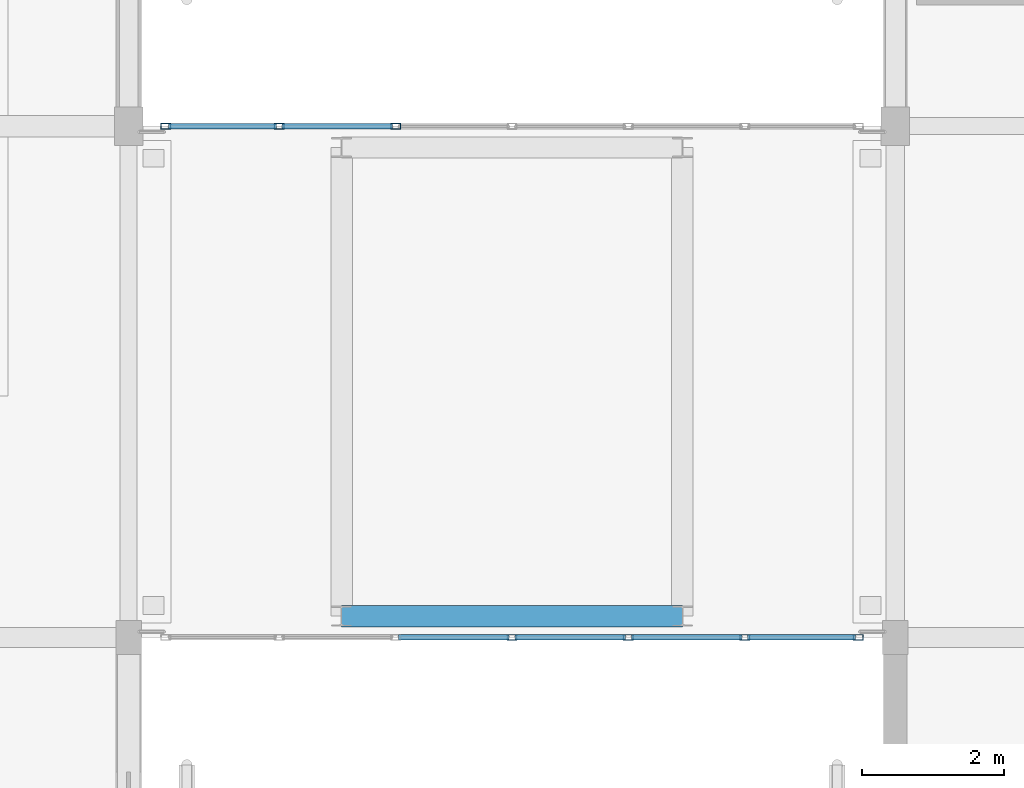
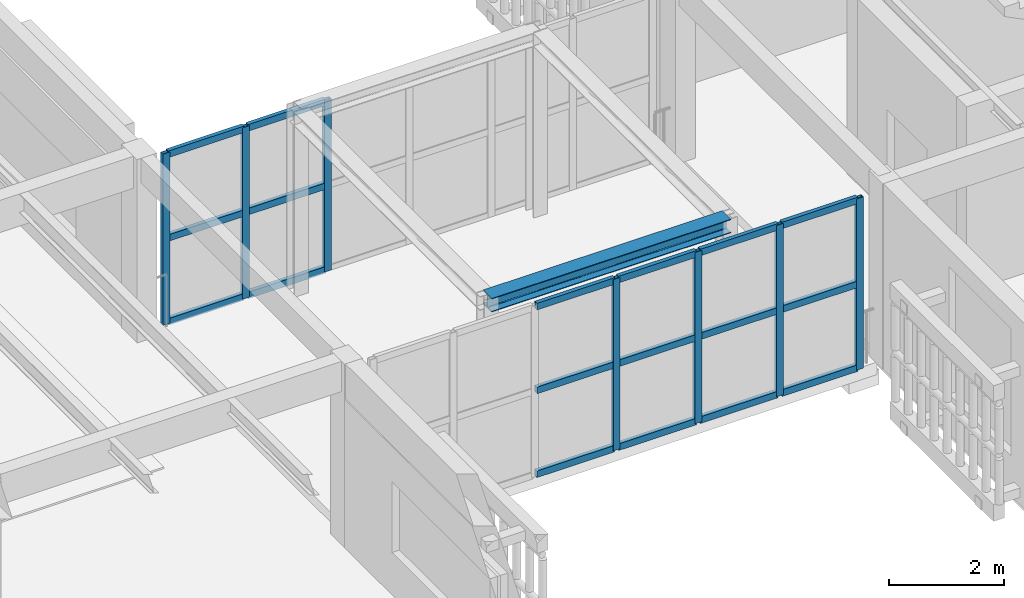
# One storey, part 22 of 217: 25 members, 1 beam, 2 elements without a shape of their own.
"""IFC4 building model written with IfcOpenShell, lengths in metres."""

from ifc_helpers import new_model, si_unit, direction, frame, origin, origin_2d, place, context, subcontext, project, spatial, hollow_rectangle, i_section, extrude, material, layer, layer_set, material_profile, profile_set, type_object, element, aggregate, save


model = new_model("IFC4")

# Units and contexts
model_context = context("Model", 3, precision=1e-05, world=origin(), true_north=direction((0.0, 1.0)))
body_context = subcontext(model_context, "Body", "Model", "MODEL_VIEW")
ifc_project = project(units=[si_unit("LENGTHUNIT", "METRE"), si_unit("AREAUNIT", "SQUARE_METRE"), si_unit("VOLUMEUNIT", "CUBIC_METRE"), si_unit("PLANEANGLEUNIT", "RADIAN"), si_unit("MASSUNIT", "GRAM", prefix="KILO")], contexts=[model_context])

# Site, building, storey
site_placement = place(None, origin())
site = spatial("IfcSite", under=ifc_project, at=site_placement, CompositionType="ELEMENT")
building_placement = place(site_placement, origin())
building = spatial("IfcBuilding", under=site, at=building_placement, Name="Mazaris Harbour Polytechnic", CompositionType="ELEMENT")
storey_placement = place(building_placement, frame((0.0, 0.0, 9.60009765625)))
storey = spatial("IfcBuildingStorey", under=building, at=storey_placement, Name="L02", CompositionType="ELEMENT", Elevation=9.60009765625)

# Curtain wall, members
ifc_material_1 = material(Name="Anodised Bronze Aluminium and Low-E Glass", Category="aluminium")
ifc_layer = layer(ifc_material_1, 0.139892578125, Name="Anodised Bronze Aluminium and Low-E Glass")
ifc_layer_set = layer_set([ifc_layer], Name="Anodised Bronze Aluminium and Low-E Glass")
curtain_wall_type = type_object("IfcCurtainWallType", Name="Seismic Link Bridge Glazing", PredefinedType="NOTDEFINED", material=ifc_layer_set)
curtain_wall_1_placement = place(storey_placement, origin())
curtain_wall_1 = element("IfcCurtainWall", 1, at=curtain_wall_1_placement, inside=storey, type_object=curtain_wall_type, Name="PB-W1 L02 Bridge Glazing", PredefinedType="NOTDEFINED")
ifc_material_2 = material(Name="Anodised Bronze Steel S355", Category="steel")
ifc_material_profile_1 = material_profile(ifc_material_2, hollow_rectangle(XDim=0.080078125, YDim=0.139892578125, WallThickness=0.00634765625, at=origin_2d()), Name="RHS 80x140x6.3")
ifc_profile_set_1 = profile_set([ifc_material_profile_1], Name="Anodised Bronze Steel S355")
member_type_1 = type_object("IfcMemberType", Name="Curtain Mullion RHS80x140", PredefinedType="MULLION", material=ifc_profile_set_1)
member_1_placement = place(storey_placement, frame((48.60009765625, 21.60009765625, 0.0), z_axis=(0.0, 0.0, 1.0), x_axis=(0.0, 1.0, 0.0)))
member_1 = element("IfcMember", 2, at=member_1_placement, type_object=member_type_1, Name="CW-05 mullion 4", PredefinedType="MULLION", context=body_context, shape_type="SweptSolid", body=[
    extrude(hollow_rectangle(XDim=0.080078125, YDim=0.139892578125, WallThickness=0.00634765625, at=origin_2d()), origin(), (0.0, 0.0, 1.0), 3.635009765625),
])
member_2_placement = place(storey_placement, frame((50.239990234375, 21.60009765625, 0.0), z_axis=(0.0, 0.0, 1.0), x_axis=(0.0, 1.0, 0.0)))
member_2 = element("IfcMember", 3, at=member_2_placement, type_object=member_type_1, Name="CW-05 mullion 5", PredefinedType="MULLION", context=body_context, shape_type="SweptSolid", body=[
    extrude(hollow_rectangle(XDim=0.080078125, YDim=0.139892578125, WallThickness=0.00634765625, at=origin_2d()), origin(), (0.0, 0.0, 1.0), 3.635009765625),
])
member_3_placement = place(storey_placement, frame((51.8798828125, 21.60009765625, 0.0), z_axis=(0.0, 0.0, 1.0), x_axis=(0.0, 1.0, 0.0)))
member_3 = element("IfcMember", 4, at=member_3_placement, type_object=member_type_1, Name="CW-05 mullion 6", PredefinedType="MULLION", context=body_context, shape_type="SweptSolid", body=[
    extrude(hollow_rectangle(XDim=0.080078125, YDim=0.139892578125, WallThickness=0.00634765625, at=origin_2d()), origin(), (0.0, 0.0, 1.0), 3.635009765625),
])
member_4_placement = place(storey_placement, frame((53.47998046875, 21.60009765625, 0.0), z_axis=(0.0, 0.0, 1.0), x_axis=(0.0, 1.0, 0.0)))
member_4 = element("IfcMember", 5, at=member_4_placement, type_object=member_type_1, Name="CW-05 mullion 7", PredefinedType="MULLION", context=body_context, shape_type="SweptSolid", body=[
    extrude(hollow_rectangle(XDim=0.080078125, YDim=0.139892578125, WallThickness=0.00634765625, at=origin_2d()), origin(), (0.0, 0.0, 1.0), 3.635009765625),
])

curtain_wall_2_placement = place(storey_placement, origin())
curtain_wall_2 = element("IfcCurtainWall", 6, at=curtain_wall_2_placement, inside=storey, type_object=curtain_wall_type, Name="PB-W1 L02 Bridge Glazing", PredefinedType="NOTDEFINED")
member_5_placement = place(storey_placement, frame((46.9599609375, 28.800048828125, 0.0), z_axis=(0.0, 0.0, 1.0), x_axis=(0.0, -1.0, 0.0)))
member_5 = element("IfcMember", 7, at=member_5_placement, type_object=member_type_1, Name="CW-05 mullion 5", PredefinedType="MULLION", context=body_context, shape_type="SweptSolid", body=[
    extrude(hollow_rectangle(XDim=0.080078125, YDim=0.139892578125, WallThickness=0.00634765625, at=origin_2d()), origin(), (0.0, 0.0, 1.0), 3.635009765625),
])
member_6_placement = place(storey_placement, frame((45.320068359375, 28.800048828125, 0.0), z_axis=(0.0, 0.0, 1.0), x_axis=(0.0, -1.0, 0.0)))
member_6 = element("IfcMember", 8, at=member_6_placement, type_object=member_type_1, Name="CW-05 mullion 6", PredefinedType="MULLION", context=body_context, shape_type="SweptSolid", body=[
    extrude(hollow_rectangle(XDim=0.080078125, YDim=0.139892578125, WallThickness=0.00634765625, at=origin_2d()), origin(), (0.0, 0.0, 1.0), 3.635009765625),
])
member_7_placement = place(storey_placement, frame((43.719970703125, 28.800048828125, 0.0), z_axis=(0.0, 0.0, 1.0), x_axis=(0.0, -1.0, 0.0)))
member_7 = element("IfcMember", 9, at=member_7_placement, type_object=member_type_1, Name="CW-05 mullion 7", PredefinedType="MULLION", context=body_context, shape_type="SweptSolid", body=[
    extrude(hollow_rectangle(XDim=0.080078125, YDim=0.139892578125, WallThickness=0.00634765625, at=origin_2d()), origin(), (0.0, 0.0, 1.0), 3.635009765625),
])

# Member
ifc_material_3 = material(Name="Anodised Bronze Steel S355", Category="steel")
ifc_material_profile_2 = material_profile(ifc_material_3, hollow_rectangle(XDim=0.080078125, YDim=0.139892578125, WallThickness=0.00634765625, at=origin_2d()), Name="RHS 80x140x6.3")
ifc_profile_set_2 = profile_set([ifc_material_profile_2], Name="Anodised Bronze Steel S355")
member_type_2 = type_object("IfcMemberType", Name="Curtain Transom RHS80x140", PredefinedType="USERDEFINED", material=ifc_profile_set_2)
member_8_placement = place(storey_placement, frame((47.0, 21.60009765625, 0.039794921875), z_axis=(1.0, 0.0, 0.0), x_axis=(0.0, 1.0, 0.0)))
member_8 = element("IfcMember", 10, at=member_8_placement, type_object=member_type_2, Name="CW-05 transom 3.1", ObjectType="TRANSOM", PredefinedType="USERDEFINED", context=body_context, shape_type="SweptSolid", body=[
    extrude(hollow_rectangle(XDim=0.080078125, YDim=0.139892578125, WallThickness=0.00634765625, at=origin_2d()), origin(), (0.0, 0.0, 1.0), 1.56005859375),
])

member_9_placement = place(storey_placement, frame((47.0, 21.60009765625, 1.8173828125), z_axis=(1.0, 0.0, 0.0), x_axis=(0.0, 1.0, 0.0)))
member_9 = element("IfcMember", 11, at=member_9_placement, type_object=member_type_2, Name="CW-05 transom 3.2", ObjectType="TRANSOM", PredefinedType="USERDEFINED", context=body_context, shape_type="SweptSolid", body=[
    extrude(hollow_rectangle(XDim=0.080078125, YDim=0.139892578125, WallThickness=0.00634765625, at=origin_2d()), origin(), (0.0, 0.0, 1.0), 1.56005859375),
])

member_10_placement = place(storey_placement, frame((47.0, 21.60009765625, 3.594970703125), z_axis=(1.0, 0.0, 0.0), x_axis=(0.0, 1.0, 0.0)))
member_10 = element("IfcMember", 12, at=member_10_placement, type_object=member_type_2, Name="CW-05 transom 3.3", ObjectType="TRANSOM", PredefinedType="USERDEFINED", context=body_context, shape_type="SweptSolid", body=[
    extrude(hollow_rectangle(XDim=0.080078125, YDim=0.139892578125, WallThickness=0.00634765625, at=origin_2d()), origin(), (0.0, 0.0, 1.0), 1.56005859375),
])

member_11_placement = place(storey_placement, frame((48.639892578125, 21.60009765625, 0.039794921875), z_axis=(1.0, 0.0, 0.0), x_axis=(0.0, 1.0, 0.0)))
member_11 = element("IfcMember", 13, at=member_11_placement, type_object=member_type_2, Name="CW-05 transom 4.1", ObjectType="TRANSOM", PredefinedType="USERDEFINED", context=body_context, shape_type="SweptSolid", body=[
    extrude(hollow_rectangle(XDim=0.080078125, YDim=0.139892578125, WallThickness=0.00634765625, at=origin_2d()), origin(), (0.0, 0.0, 1.0), 1.56005859375),
])

member_12_placement = place(storey_placement, frame((48.639892578125, 21.60009765625, 1.8173828125), z_axis=(1.0, 0.0, 0.0), x_axis=(0.0, 1.0, 0.0)))
member_12 = element("IfcMember", 14, at=member_12_placement, type_object=member_type_2, Name="CW-05 transom 4.2", ObjectType="TRANSOM", PredefinedType="USERDEFINED", context=body_context, shape_type="SweptSolid", body=[
    extrude(hollow_rectangle(XDim=0.080078125, YDim=0.139892578125, WallThickness=0.00634765625, at=origin_2d()), origin(), (0.0, 0.0, 1.0), 1.56005859375),
])

member_13_placement = place(storey_placement, frame((48.639892578125, 21.60009765625, 3.594970703125), z_axis=(1.0, 0.0, 0.0), x_axis=(0.0, 1.0, 0.0)))
member_13 = element("IfcMember", 15, at=member_13_placement, type_object=member_type_2, Name="CW-05 transom 4.3", ObjectType="TRANSOM", PredefinedType="USERDEFINED", context=body_context, shape_type="SweptSolid", body=[
    extrude(hollow_rectangle(XDim=0.080078125, YDim=0.139892578125, WallThickness=0.00634765625, at=origin_2d()), origin(), (0.0, 0.0, 1.0), 1.56005859375),
])

member_14_placement = place(storey_placement, frame((50.280029296875, 21.60009765625, 0.039794921875), z_axis=(1.0, 0.0, 0.0), x_axis=(0.0, 1.0, 0.0)))
member_14 = element("IfcMember", 16, at=member_14_placement, type_object=member_type_2, Name="CW-05 transom 5.1", ObjectType="TRANSOM", PredefinedType="USERDEFINED", context=body_context, shape_type="SweptSolid", body=[
    extrude(hollow_rectangle(XDim=0.080078125, YDim=0.139892578125, WallThickness=0.00634765625, at=origin_2d()), origin(), (0.0, 0.0, 1.0), 1.56005859375),
])

member_15_placement = place(storey_placement, frame((50.280029296875, 21.60009765625, 1.8173828125), z_axis=(1.0, 0.0, 0.0), x_axis=(0.0, 1.0, 0.0)))
member_15 = element("IfcMember", 17, at=member_15_placement, type_object=member_type_2, Name="CW-05 transom 5.2", ObjectType="TRANSOM", PredefinedType="USERDEFINED", context=body_context, shape_type="SweptSolid", body=[
    extrude(hollow_rectangle(XDim=0.080078125, YDim=0.139892578125, WallThickness=0.00634765625, at=origin_2d()), origin(), (0.0, 0.0, 1.0), 1.56005859375),
])

member_16_placement = place(storey_placement, frame((50.280029296875, 21.60009765625, 3.594970703125), z_axis=(1.0, 0.0, 0.0), x_axis=(0.0, 1.0, 0.0)))
member_16 = element("IfcMember", 18, at=member_16_placement, type_object=member_type_2, Name="CW-05 transom 5.3", ObjectType="TRANSOM", PredefinedType="USERDEFINED", context=body_context, shape_type="SweptSolid", body=[
    extrude(hollow_rectangle(XDim=0.080078125, YDim=0.139892578125, WallThickness=0.00634765625, at=origin_2d()), origin(), (0.0, 0.0, 1.0), 1.56005859375),
])

member_17_placement = place(storey_placement, frame((51.919921875, 21.60009765625, 0.039794921875), z_axis=(1.0, 0.0, 0.0), x_axis=(0.0, 1.0, 0.0)))
member_17 = element("IfcMember", 19, at=member_17_placement, type_object=member_type_2, Name="CW-05 transom 6.1", ObjectType="TRANSOM", PredefinedType="USERDEFINED", context=body_context, shape_type="SweptSolid", body=[
    extrude(hollow_rectangle(XDim=0.080078125, YDim=0.139892578125, WallThickness=0.00634765625, at=origin_2d()), origin(), (0.0, 0.0, 1.0), 1.52001953125),
])

member_18_placement = place(storey_placement, frame((51.919921875, 21.60009765625, 1.8173828125), z_axis=(1.0, 0.0, 0.0), x_axis=(0.0, 1.0, 0.0)))
member_18 = element("IfcMember", 20, at=member_18_placement, type_object=member_type_2, Name="CW-05 transom 6.2", ObjectType="TRANSOM", PredefinedType="USERDEFINED", context=body_context, shape_type="SweptSolid", body=[
    extrude(hollow_rectangle(XDim=0.080078125, YDim=0.139892578125, WallThickness=0.00634765625, at=origin_2d()), origin(), (0.0, 0.0, 1.0), 1.52001953125),
])

member_19_placement = place(storey_placement, frame((51.919921875, 21.60009765625, 3.594970703125), z_axis=(1.0, 0.0, 0.0), x_axis=(0.0, 1.0, 0.0)))
member_19 = element("IfcMember", 21, at=member_19_placement, type_object=member_type_2, Name="CW-05 transom 6.3", ObjectType="TRANSOM", PredefinedType="USERDEFINED", context=body_context, shape_type="SweptSolid", body=[
    extrude(hollow_rectangle(XDim=0.080078125, YDim=0.139892578125, WallThickness=0.00634765625, at=origin_2d()), origin(), (0.0, 0.0, 1.0), 1.52001953125),
])

aggregate(curtain_wall_1, [member_1, member_2, member_3, member_4, member_8, member_9, member_10, member_11, member_12, member_13, member_14, member_15, member_16, member_17, member_18, member_19])

member_20_placement = place(storey_placement, frame((46.919921875, 28.800048828125, 0.039794921875), z_axis=(-1.0, 0.0, 0.0), x_axis=(0.0, -1.0, 0.0)))
member_20 = element("IfcMember", 22, at=member_20_placement, type_object=member_type_2, Name="CW-05 transom 5.1", ObjectType="TRANSOM", PredefinedType="USERDEFINED", context=body_context, shape_type="SweptSolid", body=[
    extrude(hollow_rectangle(XDim=0.080078125, YDim=0.139892578125, WallThickness=0.00634765625, at=origin_2d()), origin(), (0.0, 0.0, 1.0), 1.559814453125),
])

member_21_placement = place(storey_placement, frame((46.919921875, 28.800048828125, 1.8173828125), z_axis=(-1.0, 0.0, 0.0), x_axis=(0.0, -1.0, 0.0)))
member_21 = element("IfcMember", 23, at=member_21_placement, type_object=member_type_2, Name="CW-05 transom 5.2", ObjectType="TRANSOM", PredefinedType="USERDEFINED", context=body_context, shape_type="SweptSolid", body=[
    extrude(hollow_rectangle(XDim=0.080078125, YDim=0.139892578125, WallThickness=0.00634765625, at=origin_2d()), origin(), (0.0, 0.0, 1.0), 1.559814453125),
])

member_22_placement = place(storey_placement, frame((46.919921875, 28.800048828125, 3.594970703125), z_axis=(-1.0, 0.0, 0.0), x_axis=(0.0, -1.0, 0.0)))
member_22 = element("IfcMember", 24, at=member_22_placement, type_object=member_type_2, Name="CW-05 transom 5.3", ObjectType="TRANSOM", PredefinedType="USERDEFINED", context=body_context, shape_type="SweptSolid", body=[
    extrude(hollow_rectangle(XDim=0.080078125, YDim=0.139892578125, WallThickness=0.00634765625, at=origin_2d()), origin(), (0.0, 0.0, 1.0), 1.559814453125),
])

member_23_placement = place(storey_placement, frame((45.280029296875, 28.800048828125, 0.039794921875), z_axis=(-1.0, 0.0, 0.0), x_axis=(0.0, -1.0, 0.0)))
member_23 = element("IfcMember", 25, at=member_23_placement, type_object=member_type_2, Name="CW-05 transom 6.1", ObjectType="TRANSOM", PredefinedType="USERDEFINED", context=body_context, shape_type="SweptSolid", body=[
    extrude(hollow_rectangle(XDim=0.080078125, YDim=0.139892578125, WallThickness=0.00634765625, at=origin_2d()), origin(), (0.0, 0.0, 1.0), 1.52001953125),
])

member_24_placement = place(storey_placement, frame((45.280029296875, 28.800048828125, 1.8173828125), z_axis=(-1.0, 0.0, 0.0), x_axis=(0.0, -1.0, 0.0)))
member_24 = element("IfcMember", 26, at=member_24_placement, type_object=member_type_2, Name="CW-05 transom 6.2", ObjectType="TRANSOM", PredefinedType="USERDEFINED", context=body_context, shape_type="SweptSolid", body=[
    extrude(hollow_rectangle(XDim=0.080078125, YDim=0.139892578125, WallThickness=0.00634765625, at=origin_2d()), origin(), (0.0, 0.0, 1.0), 1.52001953125),
])

member_25_placement = place(storey_placement, frame((45.280029296875, 28.800048828125, 3.594970703125), z_axis=(-1.0, 0.0, 0.0), x_axis=(0.0, -1.0, 0.0)))
member_25 = element("IfcMember", 27, at=member_25_placement, type_object=member_type_2, Name="CW-05 transom 6.3", ObjectType="TRANSOM", PredefinedType="USERDEFINED", context=body_context, shape_type="SweptSolid", body=[
    extrude(hollow_rectangle(XDim=0.080078125, YDim=0.139892578125, WallThickness=0.00634765625, at=origin_2d()), origin(), (0.0, 0.0, 1.0), 1.52001953125),
])

aggregate(curtain_wall_2, [member_5, member_6, member_7, member_20, member_21, member_22, member_23, member_24, member_25])

# Beam
ifc_material_4 = material(Name="Steel S355", Category="steel")
ifc_material_profile_3 = material_profile(ifc_material_4, i_section(OverallWidth=0.300048828125, OverallDepth=0.2900390625, WebThickness=0.008544921875, FlangeThickness=0.013916015625, FilletRadius=0.027099609375, at=origin_2d()), Name="HEA 300")
ifc_profile_set_3 = profile_set([ifc_material_profile_3], Name="Steel S355")
beam_type = type_object("IfcBeamType", Name="Steel Beam HEA300 Exterior", PredefinedType="SPANDREL", material=ifc_profile_set_3)
beam_placement = place(storey_placement, frame((46.199951171875, 21.89990234375, 3.789794921875), z_axis=(1.0, 0.0, 0.0), x_axis=(0.0, 1.0, 0.0)))
element("IfcBeam", 28, at=beam_placement, inside=storey, type_object=beam_type, Name="PB-W1 L02 Bridge Beam 3411", PredefinedType="SPANDREL", context=body_context, shape_type="SweptSolid", body=[
    extrude(i_section(OverallWidth=0.300048828125, OverallDepth=0.2900390625, WebThickness=0.008544921875, FlangeThickness=0.013916015625, FilletRadius=0.027099609375, at=origin_2d()), origin(), (0.0, 0.0, 1.0), 4.800048828125),
])

save(model, "model.ifc")
